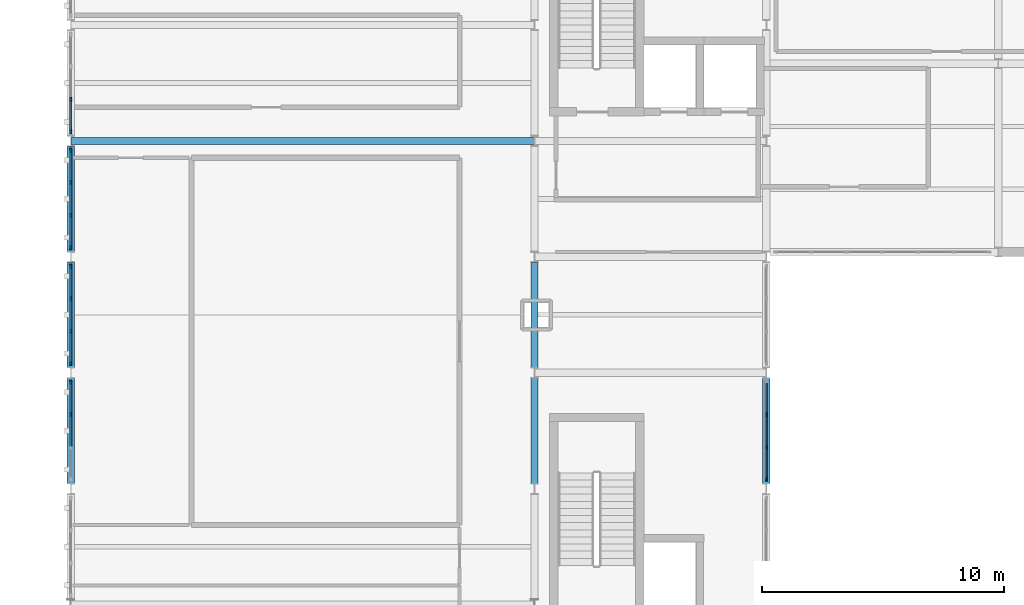
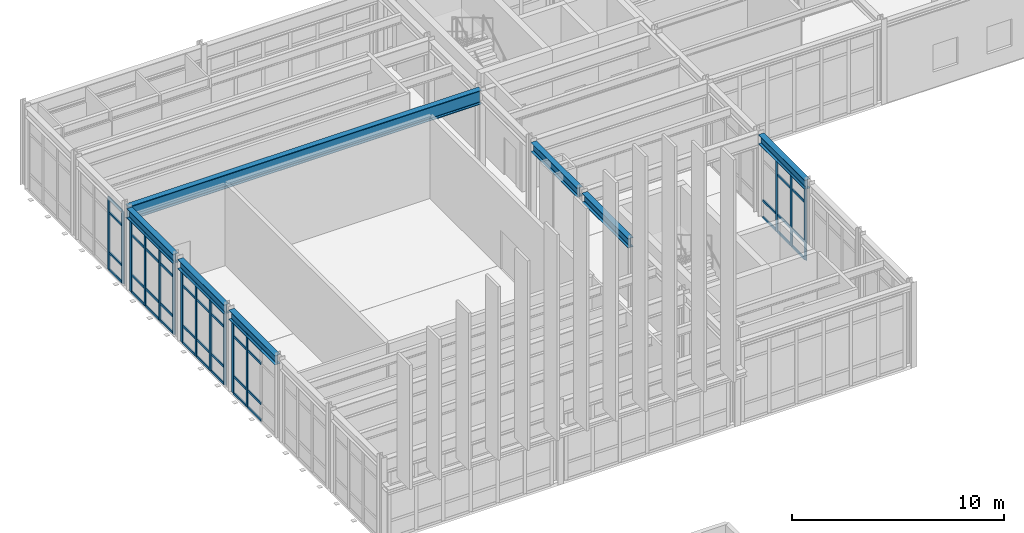
# One storey, part 6 of 28: 61 members, 7 beams, 5 elements without a shape of their own.
"""IFC4 building model written with IfcOpenShell, lengths in metres."""

from ifc_helpers import new_model, si_unit, direction, frame, origin, origin_2d, place, context, subcontext, project, spatial, rectangle, i_section, extrude, material, layer, layer_set, material_profile, profile_set, type_object, element, aggregate, save


model = new_model("IFC4")

# Units and contexts
model_context = context("Model", 3, precision=1e-05, world=origin(), true_north=direction((0.0, 1.0)))
body_context = subcontext(model_context, "Body", "Model", "MODEL_VIEW")
ifc_project = project(units=[si_unit("LENGTHUNIT", "METRE"), si_unit("AREAUNIT", "SQUARE_METRE"), si_unit("VOLUMEUNIT", "CUBIC_METRE"), si_unit("PLANEANGLEUNIT", "RADIAN"), si_unit("MASSUNIT", "GRAM", prefix="KILO")], contexts=[model_context])

# Site, building, storey
site_placement = place(None, origin())
site = spatial("IfcSite", under=ifc_project, at=site_placement, CompositionType="ELEMENT")
building_placement = place(site_placement, origin())
building = spatial("IfcBuilding", under=site, at=building_placement, Name="Nordkorset Police Headquarters", CompositionType="ELEMENT")
storey_placement = place(building_placement, frame((0.0, 0.0, 26.25)))
storey = spatial("IfcBuildingStorey", under=building, at=storey_placement, Name="L06", CompositionType="ELEMENT", Elevation=26.25)

# Curtain wall, members
ifc_material_1 = material(Name="Aluminium alloy AW-6060", Category="aluminium")
ifc_layer = layer(ifc_material_1, 0.179931640625, Name="Aluminium alloy AW-6060")
ifc_layer_set = layer_set([ifc_layer], Name="Aluminium alloy AW-6060")
curtain_wall_type = type_object("IfcCurtainWallType", Name="CW_Unit_408x415", PredefinedType="USERDEFINED", material=ifc_layer_set)
curtain_wall_1_placement = place(storey_placement, origin())
curtain_wall_1 = element("IfcCurtainWall", 1, at=curtain_wall_1_placement, inside=storey, type_object=curtain_wall_type, Name="Unitised Curtain Wall L06 V1W-2", ObjectType="UNITISED CURTAIN WALL", PredefinedType="USERDEFINED")
ifc_material_2 = material(Name="Aluminium alloy AW-6060", Category="aluminium")
ifc_material_profile_1 = material_profile(ifc_material_2, rectangle(XDim=0.06494140625, YDim=0.179931640625, at=origin_2d()), Name="ALU MULL 65x180")
ifc_profile_set_1 = profile_set([ifc_material_profile_1], Name="Aluminium alloy AW-6060")
member_type_1 = type_object("IfcMemberType", Name="CW_Mullion_65x180", PredefinedType="MULLION", material=ifc_profile_set_1)
member_1_placement = place(storey_placement, frame((0.0, 95.8798828125, 0.0), z_axis=(0.0, 0.0, 1.0), x_axis=(-1.0, 0.0, 0.0)))
member_1 = element("IfcMember", 2, at=member_1_placement, type_object=member_type_1, Name="CW-101 mullion 3", PredefinedType="MULLION", context=body_context, shape_type="SweptSolid", body=[
    extrude(rectangle(XDim=0.06494140625, YDim=0.179931640625, at=origin_2d()), origin(), (0.0, 0.0, 1.0), 4.14990234375),
])
member_2_placement = place(storey_placement, frame((0.0, 97.20751953125, 0.0), z_axis=(0.0, 0.0, 1.0), x_axis=(-1.0, 0.0, 0.0)))
member_2 = element("IfcMember", 3, at=member_2_placement, type_object=member_type_1, Name="CW-101 mullion 4", PredefinedType="MULLION", context=body_context, shape_type="SweptSolid", body=[
    extrude(rectangle(XDim=0.06494140625, YDim=0.179931640625, at=origin_2d()), origin(), (0.0, 0.0, 1.0), 4.14990234375),
])

curtain_wall_2_placement = place(storey_placement, origin())
curtain_wall_2 = element("IfcCurtainWall", 4, at=curtain_wall_2_placement, inside=storey, type_object=curtain_wall_type, Name="Unitised Curtain Wall L06 V1W-3", ObjectType="UNITISED CURTAIN WALL", PredefinedType="USERDEFINED")
member_3_placement = place(storey_placement, frame((0.0, 97.992431640625, 0.0), z_axis=(0.0, 0.0, 1.0), x_axis=(-1.0, 0.0, 0.0)))
member_3 = element("IfcMember", 5, at=member_3_placement, type_object=member_type_1, Name="CW-101 mullion 1", PredefinedType="MULLION", context=body_context, shape_type="SweptSolid", body=[
    extrude(rectangle(XDim=0.06494140625, YDim=0.179931640625, at=origin_2d()), origin(), (0.0, 0.0, 1.0), 4.14990234375),
])
member_4_placement = place(storey_placement, frame((0.0, 99.320068359375, 0.0), z_axis=(0.0, 0.0, 1.0), x_axis=(-1.0, 0.0, 0.0)))
member_4 = element("IfcMember", 6, at=member_4_placement, type_object=member_type_1, Name="CW-101 mullion 2", PredefinedType="MULLION", context=body_context, shape_type="SweptSolid", body=[
    extrude(rectangle(XDim=0.06494140625, YDim=0.179931640625, at=origin_2d()), origin(), (0.0, 0.0, 1.0), 4.14990234375),
])
member_5_placement = place(storey_placement, frame((0.0, 100.679931640625, 0.0), z_axis=(0.0, 0.0, 1.0), x_axis=(-1.0, 0.0, 0.0)))
member_5 = element("IfcMember", 7, at=member_5_placement, type_object=member_type_1, Name="CW-101 mullion 3", PredefinedType="MULLION", context=body_context, shape_type="SweptSolid", body=[
    extrude(rectangle(XDim=0.06494140625, YDim=0.179931640625, at=origin_2d()), origin(), (0.0, 0.0, 1.0), 4.14990234375),
])
member_6_placement = place(storey_placement, frame((0.0, 102.007568359375, 0.0), z_axis=(0.0, 0.0, 1.0), x_axis=(-1.0, 0.0, 0.0)))
member_6 = element("IfcMember", 8, at=member_6_placement, type_object=member_type_1, Name="CW-101 mullion 4", PredefinedType="MULLION", context=body_context, shape_type="SweptSolid", body=[
    extrude(rectangle(XDim=0.06494140625, YDim=0.179931640625, at=origin_2d()), origin(), (0.0, 0.0, 1.0), 4.14990234375),
])

curtain_wall_3_placement = place(storey_placement, origin())
curtain_wall_3 = element("IfcCurtainWall", 9, at=curtain_wall_3_placement, inside=storey, type_object=curtain_wall_type, Name="Unitised Curtain Wall L06 V1W-4", ObjectType="UNITISED CURTAIN WALL", PredefinedType="USERDEFINED")
member_7_placement = place(storey_placement, frame((0.0, 102.79248046875, 0.0), z_axis=(0.0, 0.0, 1.0), x_axis=(-1.0, 0.0, 0.0)))
member_7 = element("IfcMember", 10, at=member_7_placement, type_object=member_type_1, Name="CW-101 mullion 1", PredefinedType="MULLION", context=body_context, shape_type="SweptSolid", body=[
    extrude(rectangle(XDim=0.06494140625, YDim=0.179931640625, at=origin_2d()), origin(), (0.0, 0.0, 1.0), 4.14990234375),
])
member_8_placement = place(storey_placement, frame((0.0, 104.1201171875, 0.0), z_axis=(0.0, 0.0, 1.0), x_axis=(-1.0, 0.0, 0.0)))
member_8 = element("IfcMember", 11, at=member_8_placement, type_object=member_type_1, Name="CW-101 mullion 2", PredefinedType="MULLION", context=body_context, shape_type="SweptSolid", body=[
    extrude(rectangle(XDim=0.06494140625, YDim=0.179931640625, at=origin_2d()), origin(), (0.0, 0.0, 1.0), 4.14990234375),
])
member_9_placement = place(storey_placement, frame((0.0, 105.47998046875, 0.0), z_axis=(0.0, 0.0, 1.0), x_axis=(-1.0, 0.0, 0.0)))
member_9 = element("IfcMember", 12, at=member_9_placement, type_object=member_type_1, Name="CW-101 mullion 3", PredefinedType="MULLION", context=body_context, shape_type="SweptSolid", body=[
    extrude(rectangle(XDim=0.06494140625, YDim=0.179931640625, at=origin_2d()), origin(), (0.0, 0.0, 1.0), 4.14990234375),
])
member_10_placement = place(storey_placement, frame((0.0, 106.8076171875, 0.0), z_axis=(0.0, 0.0, 1.0), x_axis=(-1.0, 0.0, 0.0)))
member_10 = element("IfcMember", 13, at=member_10_placement, type_object=member_type_1, Name="CW-101 mullion 4", PredefinedType="MULLION", context=body_context, shape_type="SweptSolid", body=[
    extrude(rectangle(XDim=0.06494140625, YDim=0.179931640625, at=origin_2d()), origin(), (0.0, 0.0, 1.0), 4.14990234375),
])

curtain_wall_4_placement = place(storey_placement, origin())
curtain_wall_4 = element("IfcCurtainWall", 14, at=curtain_wall_4_placement, inside=storey, type_object=curtain_wall_type, Name="Unitised Curtain Wall L06 V1W-5", ObjectType="UNITISED CURTAIN WALL", PredefinedType="USERDEFINED")
member_11_placement = place(storey_placement, frame((0.0, 107.592529296875, 0.0), z_axis=(0.0, 0.0, 1.0), x_axis=(-1.0, 0.0, 0.0)))
member_11 = element("IfcMember", 15, at=member_11_placement, type_object=member_type_1, Name="CW-101 mullion 1", PredefinedType="MULLION", context=body_context, shape_type="SweptSolid", body=[
    extrude(rectangle(XDim=0.06494140625, YDim=0.179931640625, at=origin_2d()), origin(), (0.0, 0.0, 1.0), 4.14990234375),
])
member_12_placement = place(storey_placement, frame((0.0, 108.919921875, 0.0), z_axis=(0.0, 0.0, 1.0), x_axis=(-1.0, 0.0, 0.0)))
member_12 = element("IfcMember", 16, at=member_12_placement, type_object=member_type_1, Name="CW-101 mullion 2", PredefinedType="MULLION", context=body_context, shape_type="SweptSolid", body=[
    extrude(rectangle(XDim=0.06494140625, YDim=0.179931640625, at=origin_2d()), origin(), (0.0, 0.0, 1.0), 4.14990234375),
])

curtain_wall_5_placement = place(storey_placement, origin())
curtain_wall_5 = element("IfcCurtainWall", 17, at=curtain_wall_5_placement, inside=storey, type_object=curtain_wall_type, Name="Unitised Curtain Wall L06 V1E-2", ObjectType="UNITISED CURTAIN WALL", PredefinedType="USERDEFINED")
member_13_placement = place(storey_placement, frame((28.800048828125, 93.1923828125, 0.0), z_axis=(0.0, 0.0, 1.0), x_axis=(-1.0, 0.0, 0.0)))
member_13 = element("IfcMember", 18, at=member_13_placement, type_object=member_type_1, Name="CW-101 mullion 1", PredefinedType="MULLION", context=body_context, shape_type="SweptSolid", body=[
    extrude(rectangle(XDim=0.06494140625, YDim=0.179931640625, at=origin_2d()), origin(), (0.0, 0.0, 1.0), 4.14990234375),
])
member_14_placement = place(storey_placement, frame((28.800048828125, 94.52001953125, 0.0), z_axis=(0.0, 0.0, 1.0), x_axis=(-1.0, 0.0, 0.0)))
member_14 = element("IfcMember", 19, at=member_14_placement, type_object=member_type_1, Name="CW-101 mullion 2", PredefinedType="MULLION", context=body_context, shape_type="SweptSolid", body=[
    extrude(rectangle(XDim=0.06494140625, YDim=0.179931640625, at=origin_2d()), origin(), (0.0, 0.0, 1.0), 4.14990234375),
])
member_15_placement = place(storey_placement, frame((28.800048828125, 95.8798828125, 0.0), z_axis=(0.0, 0.0, 1.0), x_axis=(-1.0, 0.0, 0.0)))
member_15 = element("IfcMember", 20, at=member_15_placement, type_object=member_type_1, Name="CW-101 mullion 3", PredefinedType="MULLION", context=body_context, shape_type="SweptSolid", body=[
    extrude(rectangle(XDim=0.06494140625, YDim=0.179931640625, at=origin_2d()), origin(), (0.0, 0.0, 1.0), 4.14990234375),
])

# Member
ifc_material_3 = material(Name="Aluminium alloy AW-6060", Category="aluminium")
ifc_material_profile_2 = material_profile(ifc_material_3, rectangle(XDim=0.06494140625, YDim=0.139892578125, at=origin_2d()), Name="ALU TRAN 65x140")
ifc_profile_set_2 = profile_set([ifc_material_profile_2], Name="Aluminium alloy AW-6060")
member_type_2 = type_object("IfcMemberType", Name="CW_Transom_65x140", PredefinedType="USERDEFINED", material=ifc_profile_set_2)
member_16_placement = place(storey_placement, frame((0.0, 94.552490234375, 0.032470703125), z_axis=(0.0, 1.0, 0.0), x_axis=(-1.0, 0.0, 0.0)))
member_16 = element("IfcMember", 21, at=member_16_placement, type_object=member_type_2, Name="CW-101 transom 2.1", ObjectType="TRANSOM", PredefinedType="USERDEFINED", context=body_context, shape_type="SweptSolid", body=[
    extrude(rectangle(XDim=0.06494140625, YDim=0.139892578125, at=origin_2d()), origin(), (0.0, 0.0, 1.0), 1.294921875),
])

member_17_placement = place(storey_placement, frame((0.0, 94.552490234375, 1.0), z_axis=(0.0, 1.0, 0.0), x_axis=(-1.0, 0.0, 0.0)))
member_17 = element("IfcMember", 22, at=member_17_placement, type_object=member_type_2, Name="CW-101 transom 2.2", ObjectType="TRANSOM", PredefinedType="USERDEFINED", context=body_context, shape_type="SweptSolid", body=[
    extrude(rectangle(XDim=0.06494140625, YDim=0.139892578125, at=origin_2d()), origin(), (0.0, 0.0, 1.0), 1.294921875),
])

member_18_placement = place(storey_placement, frame((0.0, 94.552490234375, 3.300048828125), z_axis=(0.0, 1.0, 0.0), x_axis=(-1.0, 0.0, 0.0)))
member_18 = element("IfcMember", 23, at=member_18_placement, type_object=member_type_2, Name="CW-101 transom 2.3", ObjectType="TRANSOM", PredefinedType="USERDEFINED", context=body_context, shape_type="SweptSolid", body=[
    extrude(rectangle(XDim=0.06494140625, YDim=0.139892578125, at=origin_2d()), origin(), (0.0, 0.0, 1.0), 1.294921875),
])

member_19_placement = place(storey_placement, frame((0.0, 94.552490234375, 4.117431640625), z_axis=(0.0, 1.0, 0.0), x_axis=(-1.0, 0.0, 0.0)))
member_19 = element("IfcMember", 24, at=member_19_placement, type_object=member_type_2, Name="CW-101 transom 2.4", ObjectType="TRANSOM", PredefinedType="USERDEFINED", context=body_context, shape_type="SweptSolid", body=[
    extrude(rectangle(XDim=0.06494140625, YDim=0.139892578125, at=origin_2d()), origin(), (0.0, 0.0, 1.0), 1.294921875),
])

member_20_placement = place(storey_placement, frame((0.0, 95.91259765625, 0.032470703125), z_axis=(0.0, 1.0, 0.0), x_axis=(-1.0, 0.0, 0.0)))
member_20 = element("IfcMember", 25, at=member_20_placement, type_object=member_type_2, Name="CW-101 transom 3.1", ObjectType="TRANSOM", PredefinedType="USERDEFINED", context=body_context, shape_type="SweptSolid", body=[
    extrude(rectangle(XDim=0.06494140625, YDim=0.139892578125, at=origin_2d()), origin(), (0.0, 0.0, 1.0), 1.262451171875),
])

member_21_placement = place(storey_placement, frame((0.0, 95.91259765625, 1.0), z_axis=(0.0, 1.0, 0.0), x_axis=(-1.0, 0.0, 0.0)))
member_21 = element("IfcMember", 26, at=member_21_placement, type_object=member_type_2, Name="CW-101 transom 3.2", ObjectType="TRANSOM", PredefinedType="USERDEFINED", context=body_context, shape_type="SweptSolid", body=[
    extrude(rectangle(XDim=0.06494140625, YDim=0.139892578125, at=origin_2d()), origin(), (0.0, 0.0, 1.0), 1.262451171875),
])

member_22_placement = place(storey_placement, frame((0.0, 95.91259765625, 3.300048828125), z_axis=(0.0, 1.0, 0.0), x_axis=(-1.0, 0.0, 0.0)))
member_22 = element("IfcMember", 27, at=member_22_placement, type_object=member_type_2, Name="CW-101 transom 3.3", ObjectType="TRANSOM", PredefinedType="USERDEFINED", context=body_context, shape_type="SweptSolid", body=[
    extrude(rectangle(XDim=0.06494140625, YDim=0.139892578125, at=origin_2d()), origin(), (0.0, 0.0, 1.0), 1.262451171875),
])

member_23_placement = place(storey_placement, frame((0.0, 95.91259765625, 4.117431640625), z_axis=(0.0, 1.0, 0.0), x_axis=(-1.0, 0.0, 0.0)))
member_23 = element("IfcMember", 28, at=member_23_placement, type_object=member_type_2, Name="CW-101 transom 3.4", ObjectType="TRANSOM", PredefinedType="USERDEFINED", context=body_context, shape_type="SweptSolid", body=[
    extrude(rectangle(XDim=0.06494140625, YDim=0.139892578125, at=origin_2d()), origin(), (0.0, 0.0, 1.0), 1.262451171875),
])

aggregate(curtain_wall_1, [member_1, member_2, member_16, member_17, member_18, member_19, member_20, member_21, member_22, member_23])

member_24_placement = place(storey_placement, frame((0.0, 98.02490234375, 0.032470703125), z_axis=(0.0, 1.0, 0.0), x_axis=(-1.0, 0.0, 0.0)))
member_24 = element("IfcMember", 29, at=member_24_placement, type_object=member_type_2, Name="CW-101 transom 1.1", ObjectType="TRANSOM", PredefinedType="USERDEFINED", context=body_context, shape_type="SweptSolid", body=[
    extrude(rectangle(XDim=0.06494140625, YDim=0.139892578125, at=origin_2d()), origin(), (0.0, 0.0, 1.0), 1.2626953125),
])

member_25_placement = place(storey_placement, frame((0.0, 98.02490234375, 1.0), z_axis=(0.0, 1.0, 0.0), x_axis=(-1.0, 0.0, 0.0)))
member_25 = element("IfcMember", 30, at=member_25_placement, type_object=member_type_2, Name="CW-101 transom 1.2", ObjectType="TRANSOM", PredefinedType="USERDEFINED", context=body_context, shape_type="SweptSolid", body=[
    extrude(rectangle(XDim=0.06494140625, YDim=0.139892578125, at=origin_2d()), origin(), (0.0, 0.0, 1.0), 1.2626953125),
])

member_26_placement = place(storey_placement, frame((0.0, 98.02490234375, 3.300048828125), z_axis=(0.0, 1.0, 0.0), x_axis=(-1.0, 0.0, 0.0)))
member_26 = element("IfcMember", 31, at=member_26_placement, type_object=member_type_2, Name="CW-101 transom 1.3", ObjectType="TRANSOM", PredefinedType="USERDEFINED", context=body_context, shape_type="SweptSolid", body=[
    extrude(rectangle(XDim=0.06494140625, YDim=0.139892578125, at=origin_2d()), origin(), (0.0, 0.0, 1.0), 1.2626953125),
])

member_27_placement = place(storey_placement, frame((0.0, 98.02490234375, 4.117431640625), z_axis=(0.0, 1.0, 0.0), x_axis=(-1.0, 0.0, 0.0)))
member_27 = element("IfcMember", 32, at=member_27_placement, type_object=member_type_2, Name="CW-101 transom 1.4", ObjectType="TRANSOM", PredefinedType="USERDEFINED", context=body_context, shape_type="SweptSolid", body=[
    extrude(rectangle(XDim=0.06494140625, YDim=0.139892578125, at=origin_2d()), origin(), (0.0, 0.0, 1.0), 1.2626953125),
])

member_28_placement = place(storey_placement, frame((0.0, 99.3525390625, 0.032470703125), z_axis=(0.0, 1.0, 0.0), x_axis=(-1.0, 0.0, 0.0)))
member_28 = element("IfcMember", 33, at=member_28_placement, type_object=member_type_2, Name="CW-101 transom 2.1", ObjectType="TRANSOM", PredefinedType="USERDEFINED", context=body_context, shape_type="SweptSolid", body=[
    extrude(rectangle(XDim=0.06494140625, YDim=0.139892578125, at=origin_2d()), origin(), (0.0, 0.0, 1.0), 1.294921875),
])

member_29_placement = place(storey_placement, frame((0.0, 99.3525390625, 1.0), z_axis=(0.0, 1.0, 0.0), x_axis=(-1.0, 0.0, 0.0)))
member_29 = element("IfcMember", 34, at=member_29_placement, type_object=member_type_2, Name="CW-101 transom 2.2", ObjectType="TRANSOM", PredefinedType="USERDEFINED", context=body_context, shape_type="SweptSolid", body=[
    extrude(rectangle(XDim=0.06494140625, YDim=0.139892578125, at=origin_2d()), origin(), (0.0, 0.0, 1.0), 1.294921875),
])

member_30_placement = place(storey_placement, frame((0.0, 99.3525390625, 3.300048828125), z_axis=(0.0, 1.0, 0.0), x_axis=(-1.0, 0.0, 0.0)))
member_30 = element("IfcMember", 35, at=member_30_placement, type_object=member_type_2, Name="CW-101 transom 2.3", ObjectType="TRANSOM", PredefinedType="USERDEFINED", context=body_context, shape_type="SweptSolid", body=[
    extrude(rectangle(XDim=0.06494140625, YDim=0.139892578125, at=origin_2d()), origin(), (0.0, 0.0, 1.0), 1.294921875),
])

member_31_placement = place(storey_placement, frame((0.0, 99.3525390625, 4.117431640625), z_axis=(0.0, 1.0, 0.0), x_axis=(-1.0, 0.0, 0.0)))
member_31 = element("IfcMember", 36, at=member_31_placement, type_object=member_type_2, Name="CW-101 transom 2.4", ObjectType="TRANSOM", PredefinedType="USERDEFINED", context=body_context, shape_type="SweptSolid", body=[
    extrude(rectangle(XDim=0.06494140625, YDim=0.139892578125, at=origin_2d()), origin(), (0.0, 0.0, 1.0), 1.294921875),
])

member_32_placement = place(storey_placement, frame((0.0, 100.71240234375, 0.032470703125), z_axis=(0.0, 1.0, 0.0), x_axis=(-1.0, 0.0, 0.0)))
member_32 = element("IfcMember", 37, at=member_32_placement, type_object=member_type_2, Name="CW-101 transom 3.1", ObjectType="TRANSOM", PredefinedType="USERDEFINED", context=body_context, shape_type="SweptSolid", body=[
    extrude(rectangle(XDim=0.06494140625, YDim=0.139892578125, at=origin_2d()), origin(), (0.0, 0.0, 1.0), 1.2626953125),
])

member_33_placement = place(storey_placement, frame((0.0, 100.71240234375, 1.0), z_axis=(0.0, 1.0, 0.0), x_axis=(-1.0, 0.0, 0.0)))
member_33 = element("IfcMember", 38, at=member_33_placement, type_object=member_type_2, Name="CW-101 transom 3.2", ObjectType="TRANSOM", PredefinedType="USERDEFINED", context=body_context, shape_type="SweptSolid", body=[
    extrude(rectangle(XDim=0.06494140625, YDim=0.139892578125, at=origin_2d()), origin(), (0.0, 0.0, 1.0), 1.2626953125),
])

member_34_placement = place(storey_placement, frame((0.0, 100.71240234375, 3.300048828125), z_axis=(0.0, 1.0, 0.0), x_axis=(-1.0, 0.0, 0.0)))
member_34 = element("IfcMember", 39, at=member_34_placement, type_object=member_type_2, Name="CW-101 transom 3.3", ObjectType="TRANSOM", PredefinedType="USERDEFINED", context=body_context, shape_type="SweptSolid", body=[
    extrude(rectangle(XDim=0.06494140625, YDim=0.139892578125, at=origin_2d()), origin(), (0.0, 0.0, 1.0), 1.2626953125),
])

member_35_placement = place(storey_placement, frame((0.0, 100.71240234375, 4.117431640625), z_axis=(0.0, 1.0, 0.0), x_axis=(-1.0, 0.0, 0.0)))
member_35 = element("IfcMember", 40, at=member_35_placement, type_object=member_type_2, Name="CW-101 transom 3.4", ObjectType="TRANSOM", PredefinedType="USERDEFINED", context=body_context, shape_type="SweptSolid", body=[
    extrude(rectangle(XDim=0.06494140625, YDim=0.139892578125, at=origin_2d()), origin(), (0.0, 0.0, 1.0), 1.2626953125),
])

aggregate(curtain_wall_2, [member_3, member_4, member_5, member_6, member_24, member_25, member_26, member_27, member_28, member_29, member_30, member_31, member_32, member_33, member_34, member_35])

member_36_placement = place(storey_placement, frame((0.0, 102.824951171875, 0.032470703125), z_axis=(0.0, 1.0, 0.0), x_axis=(-1.0, 0.0, 0.0)))
member_36 = element("IfcMember", 41, at=member_36_placement, type_object=member_type_2, Name="CW-101 transom 1.1", ObjectType="TRANSOM", PredefinedType="USERDEFINED", context=body_context, shape_type="SweptSolid", body=[
    extrude(rectangle(XDim=0.06494140625, YDim=0.139892578125, at=origin_2d()), origin(), (0.0, 0.0, 1.0), 1.262451171875),
])

member_37_placement = place(storey_placement, frame((0.0, 102.824951171875, 1.0), z_axis=(0.0, 1.0, 0.0), x_axis=(-1.0, 0.0, 0.0)))
member_37 = element("IfcMember", 42, at=member_37_placement, type_object=member_type_2, Name="CW-101 transom 1.2", ObjectType="TRANSOM", PredefinedType="USERDEFINED", context=body_context, shape_type="SweptSolid", body=[
    extrude(rectangle(XDim=0.06494140625, YDim=0.139892578125, at=origin_2d()), origin(), (0.0, 0.0, 1.0), 1.262451171875),
])

member_38_placement = place(storey_placement, frame((0.0, 102.824951171875, 3.300048828125), z_axis=(0.0, 1.0, 0.0), x_axis=(-1.0, 0.0, 0.0)))
member_38 = element("IfcMember", 43, at=member_38_placement, type_object=member_type_2, Name="CW-101 transom 1.3", ObjectType="TRANSOM", PredefinedType="USERDEFINED", context=body_context, shape_type="SweptSolid", body=[
    extrude(rectangle(XDim=0.06494140625, YDim=0.139892578125, at=origin_2d()), origin(), (0.0, 0.0, 1.0), 1.262451171875),
])

member_39_placement = place(storey_placement, frame((0.0, 102.824951171875, 4.117431640625), z_axis=(0.0, 1.0, 0.0), x_axis=(-1.0, 0.0, 0.0)))
member_39 = element("IfcMember", 44, at=member_39_placement, type_object=member_type_2, Name="CW-101 transom 1.4", ObjectType="TRANSOM", PredefinedType="USERDEFINED", context=body_context, shape_type="SweptSolid", body=[
    extrude(rectangle(XDim=0.06494140625, YDim=0.139892578125, at=origin_2d()), origin(), (0.0, 0.0, 1.0), 1.262451171875),
])

member_40_placement = place(storey_placement, frame((0.0, 104.152587890625, 0.032470703125), z_axis=(0.0, 1.0, 0.0), x_axis=(-1.0, 0.0, 0.0)))
member_40 = element("IfcMember", 45, at=member_40_placement, type_object=member_type_2, Name="CW-101 transom 2.1", ObjectType="TRANSOM", PredefinedType="USERDEFINED", context=body_context, shape_type="SweptSolid", body=[
    extrude(rectangle(XDim=0.06494140625, YDim=0.139892578125, at=origin_2d()), origin(), (0.0, 0.0, 1.0), 1.294921875),
])

member_41_placement = place(storey_placement, frame((0.0, 104.152587890625, 1.0), z_axis=(0.0, 1.0, 0.0), x_axis=(-1.0, 0.0, 0.0)))
member_41 = element("IfcMember", 46, at=member_41_placement, type_object=member_type_2, Name="CW-101 transom 2.2", ObjectType="TRANSOM", PredefinedType="USERDEFINED", context=body_context, shape_type="SweptSolid", body=[
    extrude(rectangle(XDim=0.06494140625, YDim=0.139892578125, at=origin_2d()), origin(), (0.0, 0.0, 1.0), 1.294921875),
])

member_42_placement = place(storey_placement, frame((0.0, 104.152587890625, 3.300048828125), z_axis=(0.0, 1.0, 0.0), x_axis=(-1.0, 0.0, 0.0)))
member_42 = element("IfcMember", 47, at=member_42_placement, type_object=member_type_2, Name="CW-101 transom 2.3", ObjectType="TRANSOM", PredefinedType="USERDEFINED", context=body_context, shape_type="SweptSolid", body=[
    extrude(rectangle(XDim=0.06494140625, YDim=0.139892578125, at=origin_2d()), origin(), (0.0, 0.0, 1.0), 1.294921875),
])

member_43_placement = place(storey_placement, frame((0.0, 104.152587890625, 4.117431640625), z_axis=(0.0, 1.0, 0.0), x_axis=(-1.0, 0.0, 0.0)))
member_43 = element("IfcMember", 48, at=member_43_placement, type_object=member_type_2, Name="CW-101 transom 2.4", ObjectType="TRANSOM", PredefinedType="USERDEFINED", context=body_context, shape_type="SweptSolid", body=[
    extrude(rectangle(XDim=0.06494140625, YDim=0.139892578125, at=origin_2d()), origin(), (0.0, 0.0, 1.0), 1.294921875),
])

member_44_placement = place(storey_placement, frame((0.0, 105.512451171875, 0.032470703125), z_axis=(0.0, 1.0, 0.0), x_axis=(-1.0, 0.0, 0.0)))
member_44 = element("IfcMember", 49, at=member_44_placement, type_object=member_type_2, Name="CW-101 transom 3.1", ObjectType="TRANSOM", PredefinedType="USERDEFINED", context=body_context, shape_type="SweptSolid", body=[
    extrude(rectangle(XDim=0.06494140625, YDim=0.139892578125, at=origin_2d()), origin(), (0.0, 0.0, 1.0), 1.262451171875),
])

member_45_placement = place(storey_placement, frame((0.0, 105.512451171875, 1.0), z_axis=(0.0, 1.0, 0.0), x_axis=(-1.0, 0.0, 0.0)))
member_45 = element("IfcMember", 50, at=member_45_placement, type_object=member_type_2, Name="CW-101 transom 3.2", ObjectType="TRANSOM", PredefinedType="USERDEFINED", context=body_context, shape_type="SweptSolid", body=[
    extrude(rectangle(XDim=0.06494140625, YDim=0.139892578125, at=origin_2d()), origin(), (0.0, 0.0, 1.0), 1.262451171875),
])

member_46_placement = place(storey_placement, frame((0.0, 105.512451171875, 3.300048828125), z_axis=(0.0, 1.0, 0.0), x_axis=(-1.0, 0.0, 0.0)))
member_46 = element("IfcMember", 51, at=member_46_placement, type_object=member_type_2, Name="CW-101 transom 3.3", ObjectType="TRANSOM", PredefinedType="USERDEFINED", context=body_context, shape_type="SweptSolid", body=[
    extrude(rectangle(XDim=0.06494140625, YDim=0.139892578125, at=origin_2d()), origin(), (0.0, 0.0, 1.0), 1.262451171875),
])

member_47_placement = place(storey_placement, frame((0.0, 105.512451171875, 4.117431640625), z_axis=(0.0, 1.0, 0.0), x_axis=(-1.0, 0.0, 0.0)))
member_47 = element("IfcMember", 52, at=member_47_placement, type_object=member_type_2, Name="CW-101 transom 3.4", ObjectType="TRANSOM", PredefinedType="USERDEFINED", context=body_context, shape_type="SweptSolid", body=[
    extrude(rectangle(XDim=0.06494140625, YDim=0.139892578125, at=origin_2d()), origin(), (0.0, 0.0, 1.0), 1.262451171875),
])

aggregate(curtain_wall_3, [member_7, member_8, member_9, member_10, member_36, member_37, member_38, member_39, member_40, member_41, member_42, member_43, member_44, member_45, member_46, member_47])

member_48_placement = place(storey_placement, frame((0.0, 107.625, 0.032470703125), z_axis=(0.0, 1.0, 0.0), x_axis=(-1.0, 0.0, 0.0)))
member_48 = element("IfcMember", 53, at=member_48_placement, type_object=member_type_2, Name="CW-101 transom 1.1", ObjectType="TRANSOM", PredefinedType="USERDEFINED", context=body_context, shape_type="SweptSolid", body=[
    extrude(rectangle(XDim=0.06494140625, YDim=0.139892578125, at=origin_2d()), origin(), (0.0, 0.0, 1.0), 1.262451171875),
])

member_49_placement = place(storey_placement, frame((0.0, 107.625, 1.0), z_axis=(0.0, 1.0, 0.0), x_axis=(-1.0, 0.0, 0.0)))
member_49 = element("IfcMember", 54, at=member_49_placement, type_object=member_type_2, Name="CW-101 transom 1.2", ObjectType="TRANSOM", PredefinedType="USERDEFINED", context=body_context, shape_type="SweptSolid", body=[
    extrude(rectangle(XDim=0.06494140625, YDim=0.139892578125, at=origin_2d()), origin(), (0.0, 0.0, 1.0), 1.262451171875),
])

member_50_placement = place(storey_placement, frame((0.0, 107.625, 3.300048828125), z_axis=(0.0, 1.0, 0.0), x_axis=(-1.0, 0.0, 0.0)))
member_50 = element("IfcMember", 55, at=member_50_placement, type_object=member_type_2, Name="CW-101 transom 1.3", ObjectType="TRANSOM", PredefinedType="USERDEFINED", context=body_context, shape_type="SweptSolid", body=[
    extrude(rectangle(XDim=0.06494140625, YDim=0.139892578125, at=origin_2d()), origin(), (0.0, 0.0, 1.0), 1.262451171875),
])

member_51_placement = place(storey_placement, frame((0.0, 107.625, 4.117431640625), z_axis=(0.0, 1.0, 0.0), x_axis=(-1.0, 0.0, 0.0)))
member_51 = element("IfcMember", 56, at=member_51_placement, type_object=member_type_2, Name="CW-101 transom 1.4", ObjectType="TRANSOM", PredefinedType="USERDEFINED", context=body_context, shape_type="SweptSolid", body=[
    extrude(rectangle(XDim=0.06494140625, YDim=0.139892578125, at=origin_2d()), origin(), (0.0, 0.0, 1.0), 1.262451171875),
])

aggregate(curtain_wall_4, [member_11, member_12, member_48, member_49, member_50, member_51])

member_52_placement = place(storey_placement, frame((28.800048828125, 93.22509765625, 0.032470703125), z_axis=(0.0, 1.0, 0.0), x_axis=(-1.0, 0.0, 0.0)))
member_52 = element("IfcMember", 57, at=member_52_placement, type_object=member_type_2, Name="CW-101 transom 1.1", ObjectType="TRANSOM", PredefinedType="USERDEFINED", context=body_context, shape_type="SweptSolid", body=[
    extrude(rectangle(XDim=0.06494140625, YDim=0.139892578125, at=origin_2d()), origin(), (0.0, 0.0, 1.0), 1.262451171875),
])

member_53_placement = place(storey_placement, frame((28.800048828125, 93.22509765625, 1.0), z_axis=(0.0, 1.0, 0.0), x_axis=(-1.0, 0.0, 0.0)))
member_53 = element("IfcMember", 58, at=member_53_placement, type_object=member_type_2, Name="CW-101 transom 1.2", ObjectType="TRANSOM", PredefinedType="USERDEFINED", context=body_context, shape_type="SweptSolid", body=[
    extrude(rectangle(XDim=0.06494140625, YDim=0.139892578125, at=origin_2d()), origin(), (0.0, 0.0, 1.0), 1.262451171875),
])

member_54_placement = place(storey_placement, frame((28.800048828125, 93.22509765625, 3.300048828125), z_axis=(0.0, 1.0, 0.0), x_axis=(-1.0, 0.0, 0.0)))
member_54 = element("IfcMember", 59, at=member_54_placement, type_object=member_type_2, Name="CW-101 transom 1.3", ObjectType="TRANSOM", PredefinedType="USERDEFINED", context=body_context, shape_type="SweptSolid", body=[
    extrude(rectangle(XDim=0.06494140625, YDim=0.139892578125, at=origin_2d()), origin(), (0.0, 0.0, 1.0), 1.262451171875),
])

member_55_placement = place(storey_placement, frame((28.800048828125, 93.22509765625, 4.117431640625), z_axis=(0.0, 1.0, 0.0), x_axis=(-1.0, 0.0, 0.0)))
member_55 = element("IfcMember", 60, at=member_55_placement, type_object=member_type_2, Name="CW-101 transom 1.4", ObjectType="TRANSOM", PredefinedType="USERDEFINED", context=body_context, shape_type="SweptSolid", body=[
    extrude(rectangle(XDim=0.06494140625, YDim=0.139892578125, at=origin_2d()), origin(), (0.0, 0.0, 1.0), 1.262451171875),
])

member_56_placement = place(storey_placement, frame((28.800048828125, 94.552490234375, 0.032470703125), z_axis=(0.0, 1.0, 0.0), x_axis=(-1.0, 0.0, 0.0)))
member_56 = element("IfcMember", 61, at=member_56_placement, type_object=member_type_2, Name="CW-101 transom 2.1", ObjectType="TRANSOM", PredefinedType="USERDEFINED", context=body_context, shape_type="SweptSolid", body=[
    extrude(rectangle(XDim=0.06494140625, YDim=0.139892578125, at=origin_2d()), origin(), (0.0, 0.0, 1.0), 1.294921875),
])

member_57_placement = place(storey_placement, frame((28.800048828125, 94.552490234375, 1.0), z_axis=(0.0, 1.0, 0.0), x_axis=(-1.0, 0.0, 0.0)))
member_57 = element("IfcMember", 62, at=member_57_placement, type_object=member_type_2, Name="CW-101 transom 2.2", ObjectType="TRANSOM", PredefinedType="USERDEFINED", context=body_context, shape_type="SweptSolid", body=[
    extrude(rectangle(XDim=0.06494140625, YDim=0.139892578125, at=origin_2d()), origin(), (0.0, 0.0, 1.0), 1.294921875),
])

member_58_placement = place(storey_placement, frame((28.800048828125, 94.552490234375, 3.300048828125), z_axis=(0.0, 1.0, 0.0), x_axis=(-1.0, 0.0, 0.0)))
member_58 = element("IfcMember", 63, at=member_58_placement, type_object=member_type_2, Name="CW-101 transom 2.3", ObjectType="TRANSOM", PredefinedType="USERDEFINED", context=body_context, shape_type="SweptSolid", body=[
    extrude(rectangle(XDim=0.06494140625, YDim=0.139892578125, at=origin_2d()), origin(), (0.0, 0.0, 1.0), 1.294921875),
])

member_59_placement = place(storey_placement, frame((28.800048828125, 94.552490234375, 4.117431640625), z_axis=(0.0, 1.0, 0.0), x_axis=(-1.0, 0.0, 0.0)))
member_59 = element("IfcMember", 64, at=member_59_placement, type_object=member_type_2, Name="CW-101 transom 2.4", ObjectType="TRANSOM", PredefinedType="USERDEFINED", context=body_context, shape_type="SweptSolid", body=[
    extrude(rectangle(XDim=0.06494140625, YDim=0.139892578125, at=origin_2d()), origin(), (0.0, 0.0, 1.0), 1.294921875),
])

member_60_placement = place(storey_placement, frame((28.800048828125, 95.91259765625, 0.032470703125), z_axis=(0.0, 1.0, 0.0), x_axis=(-1.0, 0.0, 0.0)))
member_60 = element("IfcMember", 65, at=member_60_placement, type_object=member_type_2, Name="CW-101 transom 3.1", ObjectType="TRANSOM", PredefinedType="USERDEFINED", context=body_context, shape_type="SweptSolid", body=[
    extrude(rectangle(XDim=0.06494140625, YDim=0.139892578125, at=origin_2d()), origin(), (0.0, 0.0, 1.0), 1.262451171875),
])

member_61_placement = place(storey_placement, frame((28.800048828125, 95.91259765625, 1.0), z_axis=(0.0, 1.0, 0.0), x_axis=(-1.0, 0.0, 0.0)))
member_61 = element("IfcMember", 66, at=member_61_placement, type_object=member_type_2, Name="CW-101 transom 3.2", ObjectType="TRANSOM", PredefinedType="USERDEFINED", context=body_context, shape_type="SweptSolid", body=[
    extrude(rectangle(XDim=0.06494140625, YDim=0.139892578125, at=origin_2d()), origin(), (0.0, 0.0, 1.0), 1.262451171875),
])

aggregate(curtain_wall_5, [member_13, member_14, member_15, member_52, member_53, member_54, member_55, member_56, member_57, member_58, member_59, member_60, member_61])

# Beams
ifc_material_4 = material(Name="Steel S355J2", Category="steel")
ifc_material_profile_3 = material_profile(ifc_material_4, i_section(OverallWidth=0.300048828125, OverallDepth=0.5400390625, WebThickness=0.012451171875, FlangeThickness=0.02392578125, FilletRadius=0.027099609375, at=origin_2d()), Name="HEA 550")
ifc_profile_set_3 = profile_set([ifc_material_profile_3], Name="Steel S355J2")
beam_type_1 = type_object("IfcBeamType", Name="Girder_HEA_550", PredefinedType="USERDEFINED", material=ifc_profile_set_3)
for number, where, z_axis, x_axis, name in (
    (67, (0.0, 93.02490234375, 4.43994140625), (0.0, 1.0, 0.0), (-1.0, 0.0, 0.0), "Girder V1 L06 GY-0-2"),
    (68, (0.0, 97.824951171875, 4.43994140625), (0.0, 1.0, 0.0), (-1.0, 0.0, 0.0), "Girder V1 L06 GY-0-3"),
    (69, (0.0, 102.625, 4.43994140625), (0.0, 1.0, 0.0), (-1.0, 0.0, 0.0), "Girder V1 L06 GY-0-4"),
    (70, (19.199951171875, 93.02490234375, 4.43994140625), (0.0, 1.0, 0.0), (-1.0, 0.0, 0.0), "Girder V1 L06 GY-1-2"),
    (71, (19.199951171875, 97.824951171875, 4.43994140625), (0.0, 1.0, 0.0), (-1.0, 0.0, 0.0), "Girder V1 L06 GY-1-3"),
    (72, (28.800048828125, 93.02490234375, 4.43994140625), (0.0, 1.0, 0.0), (-1.0, 0.0, 0.0), "Girder V1 L06 GY-2-2"),
):
    element("IfcBeam", number, at=place(storey_placement, frame(where, z_axis=z_axis, x_axis=x_axis)), inside=storey, type_object=beam_type_1, Name=name, ObjectType="GIRDER", PredefinedType="USERDEFINED", context=body_context, shape_type="SweptSolid", body=[
        extrude(i_section(OverallWidth=0.300048828125, OverallDepth=0.5400390625, WebThickness=0.012451171875, FlangeThickness=0.02392578125, FilletRadius=0.027099609375, at=origin_2d()), origin(), (0.0, 0.0, 1.0), 4.35009765625),
    ])
ifc_material_5 = material(Name="Steel S355J2", Category="steel")
ifc_material_profile_4 = material_profile(ifc_material_5, i_section(OverallWidth=0.300048828125, OverallDepth=0.800048828125, WebThickness=0.017578125, FlangeThickness=0.032958984375, FilletRadius=0.030029296875, at=origin_2d()), Name="HEB 800")
ifc_profile_set_4 = profile_set([ifc_material_profile_4], Name="Steel S355J2")
beam_type_2 = type_object("IfcBeamType", Name="Girder_HEB_800", PredefinedType="USERDEFINED", material=ifc_profile_set_4)
beam_placement = place(storey_placement, frame((0.007080078125, 107.199951171875, 4.31005859375), z_axis=(1.0, 0.0, 0.0), x_axis=(0.0, 1.0, 0.0)))
element("IfcBeam", 73, at=beam_placement, inside=storey, type_object=beam_type_2, Name="Girder V1 L06 GX-5-0", ObjectType="GIRDER", PredefinedType="USERDEFINED", context=body_context, shape_type="SweptSolid", body=[
    extrude(i_section(OverallWidth=0.300048828125, OverallDepth=0.800048828125, WebThickness=0.017578125, FlangeThickness=0.032958984375, FilletRadius=0.030029296875, at=origin_2d()), origin(), (0.0, 0.0, 1.0), 19.18603515625),
])

save(model, "model.ifc")
